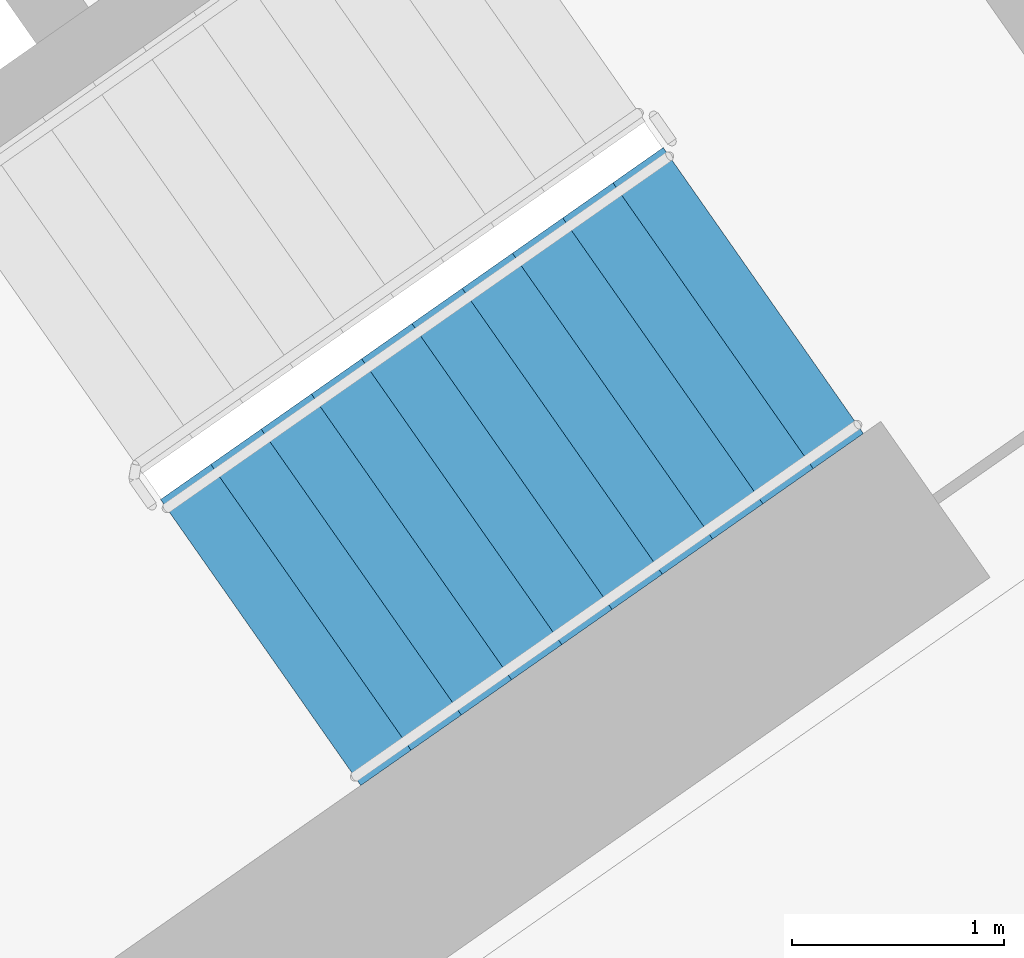
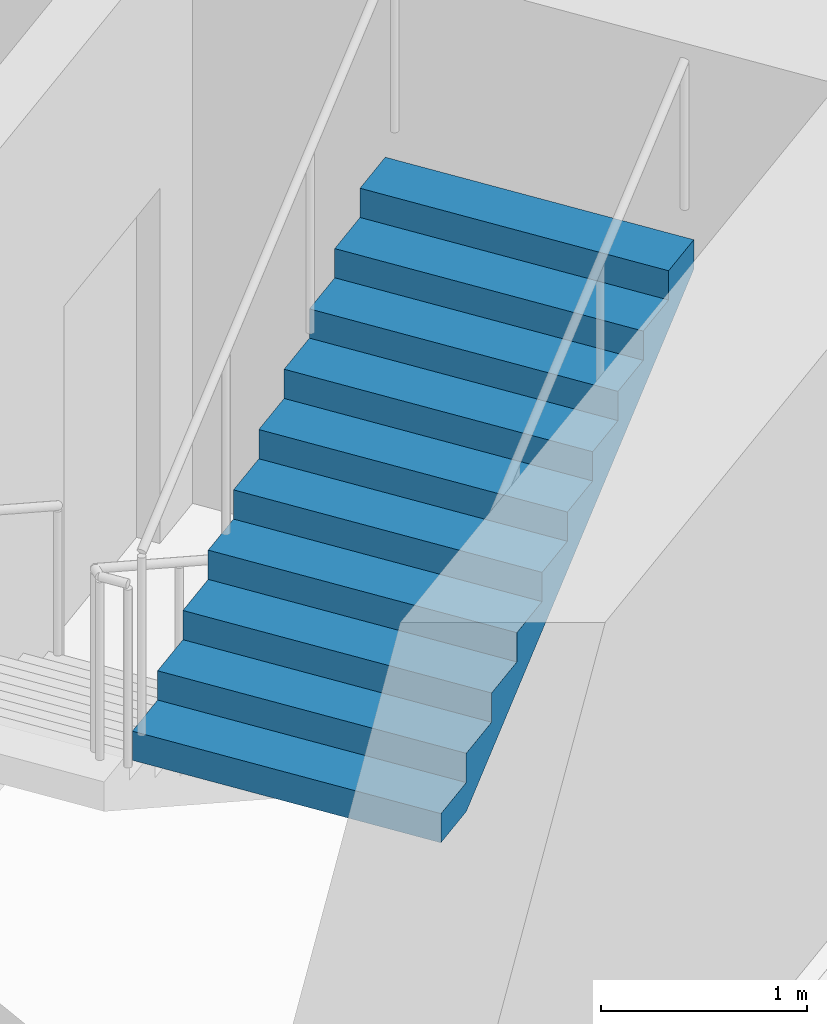
# One storey, part 14 of 29: 1 stair flight, 1 element without a shape of its own.
"""IFC4 building model written with IfcOpenShell, lengths in metres."""

from ifc_helpers import new_model, si_unit, direction, frame, origin, place, context, subcontext, project, spatial, faceted_brep, material, type_object, element, aggregate, save


model = new_model("IFC4")

# Units and contexts
model_context = context("Model", 3, precision=1e-05, world=origin(), true_north=direction((0.0, 1.0)))
body_context = subcontext(model_context, "Body", "Model", "MODEL_VIEW")
ifc_project = project(units=[si_unit("LENGTHUNIT", "METRE"), si_unit("AREAUNIT", "SQUARE_METRE"), si_unit("VOLUMEUNIT", "CUBIC_METRE"), si_unit("PLANEANGLEUNIT", "RADIAN"), si_unit("MASSUNIT", "GRAM", prefix="KILO")], contexts=[model_context])

# Site, building, storey
site_placement = place(None, origin())
site = spatial("IfcSite", under=ifc_project, at=site_placement, CompositionType="ELEMENT")
building_placement = place(site_placement, origin())
building = spatial("IfcBuilding", under=site, at=building_placement, Name="Qamariyya Broadcast Tower", CompositionType="ELEMENT")
storey_placement = place(building_placement, frame((0.0, 0.0, 132.89990234375)))
storey = spatial("IfcBuildingStorey", under=building, at=storey_placement, Name="L30", CompositionType="ELEMENT", Elevation=132.89990234375)

# Stair, stair flight
ifc_material = material(Name="Concrete C50/60", Category="concrete")
stair_type = type_object("IfcStairType", Name="Exit stair 22 risers of 173 mm", PredefinedType="HALF_TURN_STAIR", material=ifc_material)
stair_placement = place(storey_placement, origin())
stair = element("IfcStair", 1, at=stair_placement, inside=storey, type_object=stair_type, Name="L30 Stair E1", PredefinedType="HALF_TURN_STAIR")
stair_flight_type = type_object("IfcStairFlightType", Name="Exit stair flight 11 risers of 173 mm", PredefinedType="STRAIGHT", material=ifc_material)
stair_flight_placement = place(storey_placement, frame((44.693359375, -58.64599609375, 1.900146484375), z_axis=(0.0, 0.0, 1.0), x_axis=(0.819152044289, 0.573576436351, 0.0)))
stair_flight = element("IfcStairFlight", 2, at=stair_flight_placement, type_object=stair_flight_type, Name="ST-E1 flight 2", NumberOfRisers=11, NumberOfTreads=10, PredefinedType="STRAIGHT", RiserHeight=0.172727273, TreadLength=0.29, context=body_context, shape_type="Brep", body=[
    faceted_brep([(0.0, 0.824951171875, 0.0), (0.0, 0.824951171875, 0.172607421875), (0.2900390625, 0.824951171875, 0.172607421875), (0.2900390625, 0.824951171875, 0.345458984375), (0.580078125, 0.824951171875, 0.345458984375), (0.580078125, 0.824951171875, 0.51806640625), (0.8701171875, 0.824951171875, 0.51806640625), (0.8701171875, 0.824951171875, 0.69091796875), (1.159912109375, 0.824951171875, 0.69091796875), (1.159912109375, 0.824951171875, 0.863525390625), (1.449951171875, 0.824951171875, 0.863525390625), (1.449951171875, 0.824951171875, 1.036376953125), (1.739990234375, 0.824951171875, 1.036376953125), (1.739990234375, 0.824951171875, 1.208984375), (2.030029296875, 0.824951171875, 1.208984375), (2.030029296875, 0.824951171875, 1.3818359375), (2.320068359375, 0.824951171875, 1.3818359375), (2.320068359375, 0.824951171875, 1.554443359375), (2.610107421875, 0.824951171875, 1.554443359375), (2.610107421875, 0.824951171875, 1.727294921875), (2.89990234375, 0.824951171875, 1.727294921875), (2.89990234375, 0.824951171875, 1.552734375), (0.29296875, 0.824951171875, 0.0), (0.29296875, -0.824951171875, 0.0), (2.89990234375, -0.824951171875, 1.552734375), (2.89990234375, -0.824951171875, 1.727294921875), (2.610107421875, -0.824951171875, 1.727294921875), (2.610107421875, -0.824951171875, 1.554443359375), (2.320068359375, -0.824951171875, 1.554443359375), (2.320068359375, -0.824951171875, 1.3818359375), (2.030029296875, -0.824951171875, 1.3818359375), (2.030029296875, -0.824951171875, 1.208984375), (1.739990234375, -0.824951171875, 1.208984375), (1.739990234375, -0.824951171875, 1.036376953125), (1.449951171875, -0.824951171875, 1.036376953125), (1.449951171875, -0.824951171875, 0.863525390625), (1.159912109375, -0.824951171875, 0.863525390625), (1.159912109375, -0.824951171875, 0.69091796875), (0.8701171875, -0.824951171875, 0.69091796875), (0.8701171875, -0.824951171875, 0.51806640625), (0.580078125, -0.824951171875, 0.51806640625), (0.580078125, -0.824951171875, 0.345458984375), (0.2900390625, -0.824951171875, 0.345458984375), (0.2900390625, -0.824951171875, 0.172607421875), (0.0, -0.824951171875, 0.172607421875), (0.0, -0.824951171875, 0.0), (0.0, 0.10009765625, 0.0), (0.0, 0.086669921875, 0.0), (0.0, 0.0732421875, 0.0), (0.0, 0.06005859375, 0.0), (0.0, 0.046630859375, 0.0), (0.0, 0.033447265625, 0.0), (0.0, 0.02001953125, 0.0), (0.0, 0.006591796875, 0.0), (0.0, -0.006591796875, 0.0), (0.0, -0.02001953125, 0.0), (0.0, -0.033447265625, 0.0), (0.0, -0.046630859375, 0.0), (0.0, -0.06005859375, 0.0), (0.0, -0.0732421875, 0.0), (0.0, -0.086669921875, 0.0), (0.0, -0.10009765625, 0.0), (0.0, -0.10009765625, 0.172607421875), (0.0, -0.086669921875, 0.172607421875), (0.0, -0.0732421875, 0.172607421875), (0.0, -0.06005859375, 0.172607421875), (0.0, -0.046630859375, 0.172607421875), (0.0, -0.033447265625, 0.172607421875), (0.0, -0.02001953125, 0.172607421875), (0.0, -0.006591796875, 0.172607421875), (0.0, 0.006591796875, 0.172607421875), (0.0, 0.02001953125, 0.172607421875), (0.0, 0.033447265625, 0.172607421875), (0.0, 0.046630859375, 0.172607421875), (0.0, 0.06005859375, 0.172607421875), (0.0, 0.0732421875, 0.172607421875), (0.0, 0.086669921875, 0.172607421875), (0.0, 0.10009765625, 0.172607421875), (0.2900390625, -0.10009765625, 0.172607421875), (0.2900390625, -0.086669921875, 0.172607421875), (0.2900390625, -0.0732421875, 0.172607421875), (0.2900390625, -0.06005859375, 0.172607421875), (0.2900390625, -0.046630859375, 0.172607421875), (0.2900390625, -0.033447265625, 0.172607421875), (0.2900390625, -0.02001953125, 0.172607421875), (0.2900390625, -0.006591796875, 0.172607421875), (0.2900390625, 0.006591796875, 0.172607421875), (0.2900390625, 0.02001953125, 0.172607421875), (0.2900390625, 0.033447265625, 0.172607421875), (0.2900390625, 0.046630859375, 0.172607421875), (0.2900390625, 0.06005859375, 0.172607421875), (0.2900390625, 0.0732421875, 0.172607421875), (0.2900390625, 0.086669921875, 0.172607421875), (0.2900390625, 0.10009765625, 0.172607421875), (0.2900390625, -0.10009765625, 0.345458984375), (0.2900390625, -0.086669921875, 0.345458984375), (0.2900390625, -0.0732421875, 0.345458984375), (0.2900390625, -0.06005859375, 0.345458984375), (0.2900390625, -0.046630859375, 0.345458984375), (0.2900390625, -0.033447265625, 0.345458984375), (0.2900390625, -0.02001953125, 0.345458984375), (0.2900390625, -0.006591796875, 0.345458984375), (0.2900390625, 0.006591796875, 0.345458984375), (0.2900390625, 0.02001953125, 0.345458984375), (0.2900390625, 0.033447265625, 0.345458984375), (0.2900390625, 0.046630859375, 0.345458984375), (0.2900390625, 0.06005859375, 0.345458984375), (0.2900390625, 0.0732421875, 0.345458984375), (0.2900390625, 0.086669921875, 0.345458984375), (0.2900390625, 0.10009765625, 0.345458984375), (0.580078125, -0.10009765625, 0.345458984375), (0.580078125, -0.086669921875, 0.345458984375), (0.580078125, -0.0732421875, 0.345458984375), (0.580078125, -0.06005859375, 0.345458984375), (0.580078125, -0.046630859375, 0.345458984375), (0.580078125, -0.033447265625, 0.345458984375), (0.580078125, -0.02001953125, 0.345458984375), (0.580078125, -0.006591796875, 0.345458984375), (0.580078125, 0.006591796875, 0.345458984375), (0.580078125, 0.02001953125, 0.345458984375), (0.580078125, 0.033447265625, 0.345458984375), (0.580078125, 0.046630859375, 0.345458984375), (0.580078125, 0.06005859375, 0.345458984375), (0.580078125, 0.0732421875, 0.345458984375), (0.580078125, 0.086669921875, 0.345458984375), (0.580078125, 0.10009765625, 0.345458984375), (0.580078125, -0.10009765625, 0.51806640625), (0.580078125, -0.086669921875, 0.51806640625), (0.580078125, -0.0732421875, 0.51806640625), (0.580078125, -0.06005859375, 0.51806640625), (0.580078125, -0.046630859375, 0.51806640625), (0.580078125, -0.033447265625, 0.51806640625), (0.580078125, -0.02001953125, 0.51806640625), (0.580078125, -0.006591796875, 0.51806640625), (0.580078125, 0.006591796875, 0.51806640625), (0.580078125, 0.02001953125, 0.51806640625), (0.580078125, 0.033447265625, 0.51806640625), (0.580078125, 0.046630859375, 0.51806640625), (0.580078125, 0.06005859375, 0.51806640625), (0.580078125, 0.0732421875, 0.51806640625), (0.580078125, 0.086669921875, 0.51806640625), (0.580078125, 0.10009765625, 0.51806640625), (0.8701171875, -0.10009765625, 0.51806640625), (0.8701171875, -0.086669921875, 0.51806640625), (0.8701171875, -0.0732421875, 0.51806640625), (0.8701171875, -0.06005859375, 0.51806640625), (0.8701171875, -0.046630859375, 0.51806640625), (0.8701171875, -0.033447265625, 0.51806640625), (0.8701171875, -0.02001953125, 0.51806640625), (0.8701171875, -0.006591796875, 0.51806640625), (0.8701171875, 0.006591796875, 0.51806640625), (0.8701171875, 0.02001953125, 0.51806640625), (0.8701171875, 0.033447265625, 0.51806640625), (0.8701171875, 0.046630859375, 0.51806640625), (0.8701171875, 0.06005859375, 0.51806640625), (0.8701171875, 0.0732421875, 0.51806640625), (0.8701171875, 0.086669921875, 0.51806640625), (0.8701171875, 0.10009765625, 0.51806640625), (0.8701171875, -0.10009765625, 0.69091796875), (0.8701171875, -0.086669921875, 0.69091796875), (0.8701171875, -0.0732421875, 0.69091796875), (0.8701171875, -0.06005859375, 0.69091796875), (0.8701171875, -0.046630859375, 0.69091796875), (0.8701171875, -0.033447265625, 0.69091796875), (0.8701171875, -0.02001953125, 0.69091796875), (0.8701171875, -0.006591796875, 0.69091796875), (0.8701171875, 0.006591796875, 0.69091796875), (0.8701171875, 0.02001953125, 0.69091796875), (0.8701171875, 0.033447265625, 0.69091796875), (0.8701171875, 0.046630859375, 0.69091796875), (0.8701171875, 0.06005859375, 0.69091796875), (0.8701171875, 0.0732421875, 0.69091796875), (0.8701171875, 0.086669921875, 0.69091796875), (0.8701171875, 0.10009765625, 0.69091796875), (1.159912109375, -0.10009765625, 0.69091796875), (1.159912109375, -0.086669921875, 0.69091796875), (1.159912109375, -0.0732421875, 0.69091796875), (1.159912109375, -0.06005859375, 0.69091796875), (1.159912109375, -0.046630859375, 0.69091796875), (1.159912109375, -0.033447265625, 0.69091796875), (1.159912109375, -0.02001953125, 0.69091796875), (1.159912109375, -0.006591796875, 0.69091796875), (1.159912109375, 0.006591796875, 0.69091796875), (1.159912109375, 0.02001953125, 0.69091796875), (1.159912109375, 0.033447265625, 0.69091796875), (1.159912109375, 0.046630859375, 0.69091796875), (1.159912109375, 0.06005859375, 0.69091796875), (1.159912109375, 0.0732421875, 0.69091796875), (1.159912109375, 0.086669921875, 0.69091796875), (1.159912109375, 0.10009765625, 0.69091796875), (1.159912109375, -0.10009765625, 0.863525390625), (1.159912109375, -0.086669921875, 0.863525390625), (1.159912109375, -0.0732421875, 0.863525390625), (1.159912109375, -0.06005859375, 0.863525390625), (1.159912109375, -0.046630859375, 0.863525390625), (1.159912109375, -0.033447265625, 0.863525390625), (1.159912109375, -0.02001953125, 0.863525390625), (1.159912109375, -0.006591796875, 0.863525390625), (1.159912109375, 0.006591796875, 0.863525390625), (1.159912109375, 0.02001953125, 0.863525390625), (1.159912109375, 0.033447265625, 0.863525390625), (1.159912109375, 0.046630859375, 0.863525390625), (1.159912109375, 0.06005859375, 0.863525390625), (1.159912109375, 0.0732421875, 0.863525390625), (1.159912109375, 0.086669921875, 0.863525390625), (1.159912109375, 0.10009765625, 0.863525390625), (1.449951171875, -0.10009765625, 0.863525390625), (1.449951171875, -0.086669921875, 0.863525390625), (1.449951171875, -0.0732421875, 0.863525390625), (1.449951171875, -0.06005859375, 0.863525390625), (1.449951171875, -0.046630859375, 0.863525390625), (1.449951171875, -0.033447265625, 0.863525390625), (1.449951171875, -0.02001953125, 0.863525390625), (1.449951171875, -0.006591796875, 0.863525390625), (1.449951171875, 0.006591796875, 0.863525390625), (1.449951171875, 0.02001953125, 0.863525390625), (1.449951171875, 0.033447265625, 0.863525390625), (1.449951171875, 0.046630859375, 0.863525390625), (1.449951171875, 0.06005859375, 0.863525390625), (1.449951171875, 0.0732421875, 0.863525390625), (1.449951171875, 0.086669921875, 0.863525390625), (1.449951171875, 0.10009765625, 0.863525390625), (1.449951171875, -0.10009765625, 1.036376953125), (1.449951171875, -0.086669921875, 1.036376953125), (1.449951171875, -0.0732421875, 1.036376953125), (1.449951171875, -0.06005859375, 1.036376953125), (1.449951171875, -0.046630859375, 1.036376953125), (1.449951171875, -0.033447265625, 1.036376953125), (1.449951171875, -0.02001953125, 1.036376953125), (1.449951171875, -0.006591796875, 1.036376953125), (1.449951171875, 0.006591796875, 1.036376953125), (1.449951171875, 0.02001953125, 1.036376953125), (1.449951171875, 0.033447265625, 1.036376953125), (1.449951171875, 0.046630859375, 1.036376953125), (1.449951171875, 0.06005859375, 1.036376953125), (1.449951171875, 0.0732421875, 1.036376953125), (1.449951171875, 0.086669921875, 1.036376953125), (1.449951171875, 0.10009765625, 1.036376953125), (1.739990234375, -0.10009765625, 1.036376953125), (1.739990234375, -0.086669921875, 1.036376953125), (1.739990234375, -0.0732421875, 1.036376953125), (1.739990234375, -0.06005859375, 1.036376953125), (1.739990234375, -0.046630859375, 1.036376953125), (1.739990234375, -0.033447265625, 1.036376953125), (1.739990234375, -0.02001953125, 1.036376953125), (1.739990234375, -0.006591796875, 1.036376953125), (1.739990234375, 0.006591796875, 1.036376953125), (1.739990234375, 0.02001953125, 1.036376953125), (1.739990234375, 0.033447265625, 1.036376953125), (1.739990234375, 0.046630859375, 1.036376953125), (1.739990234375, 0.06005859375, 1.036376953125), (1.739990234375, 0.0732421875, 1.036376953125), (1.739990234375, 0.086669921875, 1.036376953125), (1.739990234375, 0.10009765625, 1.036376953125), (1.739990234375, -0.10009765625, 1.208984375), (1.739990234375, -0.086669921875, 1.208984375), (1.739990234375, -0.0732421875, 1.208984375), (1.739990234375, -0.06005859375, 1.208984375), (1.739990234375, -0.046630859375, 1.208984375), (1.739990234375, -0.033447265625, 1.208984375), (1.739990234375, -0.02001953125, 1.208984375), (1.739990234375, -0.006591796875, 1.208984375), (1.739990234375, 0.006591796875, 1.208984375), (1.739990234375, 0.02001953125, 1.208984375), (1.739990234375, 0.033447265625, 1.208984375), (1.739990234375, 0.046630859375, 1.208984375), (1.739990234375, 0.06005859375, 1.208984375), (1.739990234375, 0.0732421875, 1.208984375), (1.739990234375, 0.086669921875, 1.208984375), (1.739990234375, 0.10009765625, 1.208984375), (2.030029296875, -0.10009765625, 1.208984375), (2.030029296875, -0.086669921875, 1.208984375), (2.030029296875, -0.0732421875, 1.208984375), (2.030029296875, -0.06005859375, 1.208984375), (2.030029296875, -0.046630859375, 1.208984375), (2.030029296875, -0.033447265625, 1.208984375), (2.030029296875, -0.02001953125, 1.208984375), (2.030029296875, -0.006591796875, 1.208984375), (2.030029296875, 0.006591796875, 1.208984375), (2.030029296875, 0.02001953125, 1.208984375), (2.030029296875, 0.033447265625, 1.208984375), (2.030029296875, 0.046630859375, 1.208984375), (2.030029296875, 0.06005859375, 1.208984375), (2.030029296875, 0.0732421875, 1.208984375), (2.030029296875, 0.086669921875, 1.208984375), (2.030029296875, 0.10009765625, 1.208984375), (2.030029296875, -0.10009765625, 1.3818359375), (2.030029296875, -0.086669921875, 1.3818359375), (2.030029296875, -0.0732421875, 1.3818359375), (2.030029296875, -0.06005859375, 1.3818359375), (2.030029296875, -0.046630859375, 1.3818359375), (2.030029296875, -0.033447265625, 1.3818359375), (2.030029296875, -0.02001953125, 1.3818359375), (2.030029296875, -0.006591796875, 1.3818359375), (2.030029296875, 0.006591796875, 1.3818359375), (2.030029296875, 0.02001953125, 1.3818359375), (2.030029296875, 0.033447265625, 1.3818359375), (2.030029296875, 0.046630859375, 1.3818359375), (2.030029296875, 0.06005859375, 1.3818359375), (2.030029296875, 0.0732421875, 1.3818359375), (2.030029296875, 0.086669921875, 1.3818359375), (2.030029296875, 0.10009765625, 1.3818359375), (2.320068359375, -0.10009765625, 1.3818359375), (2.320068359375, -0.086669921875, 1.3818359375), (2.320068359375, -0.0732421875, 1.3818359375), (2.320068359375, -0.06005859375, 1.3818359375), (2.320068359375, -0.046630859375, 1.3818359375), (2.320068359375, -0.033447265625, 1.3818359375), (2.320068359375, -0.02001953125, 1.3818359375), (2.320068359375, -0.006591796875, 1.3818359375), (2.320068359375, 0.006591796875, 1.3818359375), (2.320068359375, 0.02001953125, 1.3818359375), (2.320068359375, 0.033447265625, 1.3818359375), (2.320068359375, 0.046630859375, 1.3818359375), (2.320068359375, 0.06005859375, 1.3818359375), (2.320068359375, 0.0732421875, 1.3818359375), (2.320068359375, 0.086669921875, 1.3818359375), (2.320068359375, 0.10009765625, 1.3818359375), (2.320068359375, -0.10009765625, 1.554443359375), (2.320068359375, -0.086669921875, 1.554443359375), (2.320068359375, -0.0732421875, 1.554443359375), (2.320068359375, -0.06005859375, 1.554443359375), (2.320068359375, -0.046630859375, 1.554443359375), (2.320068359375, -0.033447265625, 1.554443359375), (2.320068359375, -0.02001953125, 1.554443359375), (2.320068359375, -0.006591796875, 1.554443359375), (2.320068359375, 0.006591796875, 1.554443359375), (2.320068359375, 0.02001953125, 1.554443359375), (2.320068359375, 0.033447265625, 1.554443359375), (2.320068359375, 0.046630859375, 1.554443359375), (2.320068359375, 0.06005859375, 1.554443359375), (2.320068359375, 0.0732421875, 1.554443359375), (2.320068359375, 0.086669921875, 1.554443359375), (2.320068359375, 0.10009765625, 1.554443359375), (2.610107421875, -0.10009765625, 1.554443359375), (2.610107421875, -0.086669921875, 1.554443359375), (2.610107421875, -0.0732421875, 1.554443359375), (2.610107421875, -0.06005859375, 1.554443359375), (2.610107421875, -0.046630859375, 1.554443359375), (2.610107421875, -0.033447265625, 1.554443359375), (2.610107421875, -0.02001953125, 1.554443359375), (2.610107421875, -0.006591796875, 1.554443359375), (2.610107421875, 0.006591796875, 1.554443359375), (2.610107421875, 0.02001953125, 1.554443359375), (2.610107421875, 0.033447265625, 1.554443359375), (2.610107421875, 0.046630859375, 1.554443359375), (2.610107421875, 0.06005859375, 1.554443359375), (2.610107421875, 0.0732421875, 1.554443359375), (2.610107421875, 0.086669921875, 1.554443359375), (2.610107421875, 0.10009765625, 1.554443359375), (2.610107421875, -0.10009765625, 1.727294921875), (2.610107421875, -0.086669921875, 1.727294921875), (2.610107421875, -0.0732421875, 1.727294921875), (2.610107421875, -0.06005859375, 1.727294921875), (2.610107421875, -0.046630859375, 1.727294921875), (2.610107421875, -0.033447265625, 1.727294921875), (2.610107421875, -0.02001953125, 1.727294921875), (2.610107421875, -0.006591796875, 1.727294921875), (2.610107421875, 0.006591796875, 1.727294921875), (2.610107421875, 0.02001953125, 1.727294921875), (2.610107421875, 0.033447265625, 1.727294921875), (2.610107421875, 0.046630859375, 1.727294921875), (2.610107421875, 0.06005859375, 1.727294921875), (2.610107421875, 0.0732421875, 1.727294921875), (2.610107421875, 0.086669921875, 1.727294921875), (2.610107421875, 0.10009765625, 1.727294921875), (2.89990234375, -0.10009765625, 1.727294921875), (2.89990234375, -0.086669921875, 1.727294921875), (2.89990234375, -0.0732421875, 1.727294921875), (2.89990234375, -0.06005859375, 1.727294921875), (2.89990234375, -0.046630859375, 1.727294921875), (2.89990234375, -0.033447265625, 1.727294921875), (2.89990234375, -0.02001953125, 1.727294921875), (2.89990234375, -0.006591796875, 1.727294921875), (2.89990234375, 0.006591796875, 1.727294921875), (2.89990234375, 0.02001953125, 1.727294921875), (2.89990234375, 0.033447265625, 1.727294921875), (2.89990234375, 0.046630859375, 1.727294921875), (2.89990234375, 0.06005859375, 1.727294921875), (2.89990234375, 0.0732421875, 1.727294921875), (2.89990234375, 0.086669921875, 1.727294921875), (2.89990234375, 0.10009765625, 1.727294921875), (2.89990234375, -0.10009765625, 1.552734375), (2.89990234375, -0.086669921875, 1.552734375), (2.89990234375, -0.0732421875, 1.552734375), (2.89990234375, -0.06005859375, 1.552734375), (2.89990234375, -0.046630859375, 1.552734375), (2.89990234375, -0.033447265625, 1.552734375), (2.89990234375, -0.02001953125, 1.552734375), (2.89990234375, -0.006591796875, 1.552734375), (2.89990234375, 0.006591796875, 1.552734375), (2.89990234375, 0.02001953125, 1.552734375), (2.89990234375, 0.033447265625, 1.552734375), (2.89990234375, 0.046630859375, 1.552734375), (2.89990234375, 0.06005859375, 1.552734375), (2.89990234375, 0.0732421875, 1.552734375), (2.89990234375, 0.086669921875, 1.552734375), (2.89990234375, 0.10009765625, 1.552734375), (0.29296875, -0.10009765625, 0.0), (0.29296875, -0.086669921875, 0.0), (0.29296875, -0.0732421875, 0.0), (0.29296875, -0.06005859375, 0.0), (0.29296875, -0.046630859375, 0.0), (0.29296875, -0.033447265625, 0.0), (0.29296875, -0.02001953125, 0.0), (0.29296875, -0.006591796875, 0.0), (0.29296875, 0.006591796875, 0.0), (0.29296875, 0.02001953125, 0.0), (0.29296875, 0.033447265625, 0.0), (0.29296875, 0.046630859375, 0.0), (0.29296875, 0.06005859375, 0.0), (0.29296875, 0.0732421875, 0.0), (0.29296875, 0.086669921875, 0.0), (0.29296875, 0.10009765625, 0.0)], [[[0, 1, 2, 3, 4, 5, 6, 7, 8, 9, 10, 11, 12, 13, 14, 15, 16, 17, 18, 19, 20, 21, 22]], [[23, 24, 25, 26, 27, 28, 29, 30, 31, 32, 33, 34, 35, 36, 37, 38, 39, 40, 41, 42, 43, 44, 45]], [[0, 46, 47, 48, 49, 50, 51, 52, 53, 54, 55, 56, 57, 58, 59, 60, 61, 45, 44, 62, 63, 64, 65, 66, 67, 68, 69, 70, 71, 72, 73, 74, 75, 76, 77, 1]], [[1, 77, 76, 75, 74, 73, 72, 71, 70, 69, 68, 67, 66, 65, 64, 63, 62, 44, 43, 78, 79, 80, 81, 82, 83, 84, 85, 86, 87, 88, 89, 90, 91, 92, 93, 2]], [[2, 93, 92, 91, 90, 89, 88, 87, 86, 85, 84, 83, 82, 81, 80, 79, 78, 43, 42, 94, 95, 96, 97, 98, 99, 100, 101, 102, 103, 104, 105, 106, 107, 108, 109, 3]], [[3, 109, 108, 107, 106, 105, 104, 103, 102, 101, 100, 99, 98, 97, 96, 95, 94, 42, 41, 110, 111, 112, 113, 114, 115, 116, 117, 118, 119, 120, 121, 122, 123, 124, 125, 4]], [[4, 125, 124, 123, 122, 121, 120, 119, 118, 117, 116, 115, 114, 113, 112, 111, 110, 41, 40, 126, 127, 128, 129, 130, 131, 132, 133, 134, 135, 136, 137, 138, 139, 140, 141, 5]], [[5, 141, 140, 139, 138, 137, 136, 135, 134, 133, 132, 131, 130, 129, 128, 127, 126, 40, 39, 142, 143, 144, 145, 146, 147, 148, 149, 150, 151, 152, 153, 154, 155, 156, 157, 6]], [[6, 157, 156, 155, 154, 153, 152, 151, 150, 149, 148, 147, 146, 145, 144, 143, 142, 39, 38, 158, 159, 160, 161, 162, 163, 164, 165, 166, 167, 168, 169, 170, 171, 172, 173, 7]], [[7, 173, 172, 171, 170, 169, 168, 167, 166, 165, 164, 163, 162, 161, 160, 159, 158, 38, 37, 174, 175, 176, 177, 178, 179, 180, 181, 182, 183, 184, 185, 186, 187, 188, 189, 8]], [[8, 189, 188, 187, 186, 185, 184, 183, 182, 181, 180, 179, 178, 177, 176, 175, 174, 37, 36, 190, 191, 192, 193, 194, 195, 196, 197, 198, 199, 200, 201, 202, 203, 204, 205, 9]], [[9, 205, 204, 203, 202, 201, 200, 199, 198, 197, 196, 195, 194, 193, 192, 191, 190, 36, 35, 206, 207, 208, 209, 210, 211, 212, 213, 214, 215, 216, 217, 218, 219, 220, 221, 10]], [[10, 221, 220, 219, 218, 217, 216, 215, 214, 213, 212, 211, 210, 209, 208, 207, 206, 35, 34, 222, 223, 224, 225, 226, 227, 228, 229, 230, 231, 232, 233, 234, 235, 236, 237, 11]], [[11, 237, 236, 235, 234, 233, 232, 231, 230, 229, 228, 227, 226, 225, 224, 223, 222, 34, 33, 238, 239, 240, 241, 242, 243, 244, 245, 246, 247, 248, 249, 250, 251, 252, 253, 12]], [[12, 253, 252, 251, 250, 249, 248, 247, 246, 245, 244, 243, 242, 241, 240, 239, 238, 33, 32, 254, 255, 256, 257, 258, 259, 260, 261, 262, 263, 264, 265, 266, 267, 268, 269, 13]], [[13, 269, 268, 267, 266, 265, 264, 263, 262, 261, 260, 259, 258, 257, 256, 255, 254, 32, 31, 270, 271, 272, 273, 274, 275, 276, 277, 278, 279, 280, 281, 282, 283, 284, 285, 14]], [[14, 285, 284, 283, 282, 281, 280, 279, 278, 277, 276, 275, 274, 273, 272, 271, 270, 31, 30, 286, 287, 288, 289, 290, 291, 292, 293, 294, 295, 296, 297, 298, 299, 300, 301, 15]], [[15, 301, 300, 299, 298, 297, 296, 295, 294, 293, 292, 291, 290, 289, 288, 287, 286, 30, 29, 302, 303, 304, 305, 306, 307, 308, 309, 310, 311, 312, 313, 314, 315, 316, 317, 16]], [[16, 317, 316, 315, 314, 313, 312, 311, 310, 309, 308, 307, 306, 305, 304, 303, 302, 29, 28, 318, 319, 320, 321, 322, 323, 324, 325, 326, 327, 328, 329, 330, 331, 332, 333, 17]], [[17, 333, 332, 331, 330, 329, 328, 327, 326, 325, 324, 323, 322, 321, 320, 319, 318, 28, 27, 334, 335, 336, 337, 338, 339, 340, 341, 342, 343, 344, 345, 346, 347, 348, 349, 18]], [[18, 349, 348, 347, 346, 345, 344, 343, 342, 341, 340, 339, 338, 337, 336, 335, 334, 27, 26, 350, 351, 352, 353, 354, 355, 356, 357, 358, 359, 360, 361, 362, 363, 364, 365, 19]], [[19, 365, 364, 363, 362, 361, 360, 359, 358, 357, 356, 355, 354, 353, 352, 351, 350, 26, 25, 366, 367, 368, 369, 370, 371, 372, 373, 374, 375, 376, 377, 378, 379, 380, 381, 20]], [[20, 381, 380, 379, 378, 377, 376, 375, 374, 373, 372, 371, 370, 369, 368, 367, 366, 25, 24, 382, 383, 384, 385, 386, 387, 388, 389, 390, 391, 392, 393, 394, 395, 396, 397, 21]], [[21, 397, 396, 395, 394, 393, 392, 391, 390, 389, 388, 387, 386, 385, 384, 383, 382, 24, 23, 398, 399, 400, 401, 402, 403, 404, 405, 406, 407, 408, 409, 410, 411, 412, 413, 22]], [[22, 413, 412, 411, 410, 409, 408, 407, 406, 405, 404, 403, 402, 401, 400, 399, 398, 23, 45, 61, 60, 59, 58, 57, 56, 55, 54, 53, 52, 51, 50, 49, 48, 47, 46, 0]]]),
])
aggregate(stair, [stair_flight])

save(model, "model.ifc")
